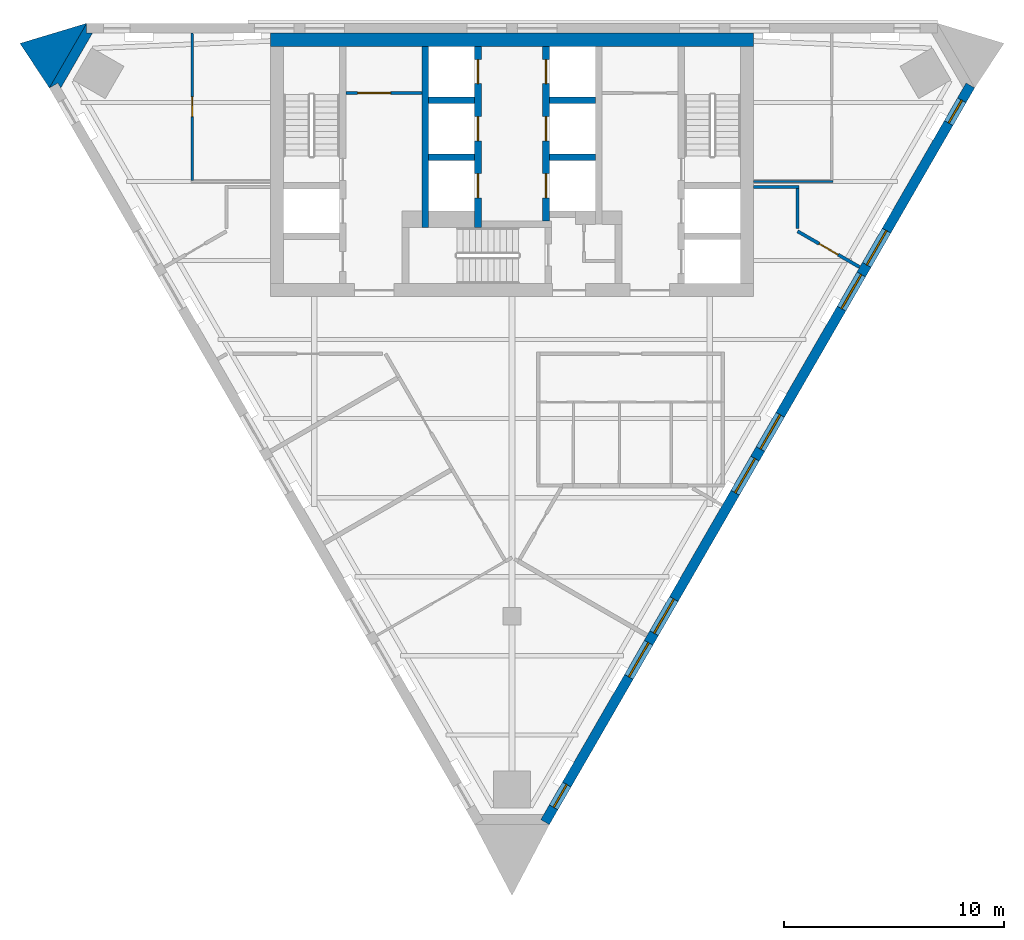
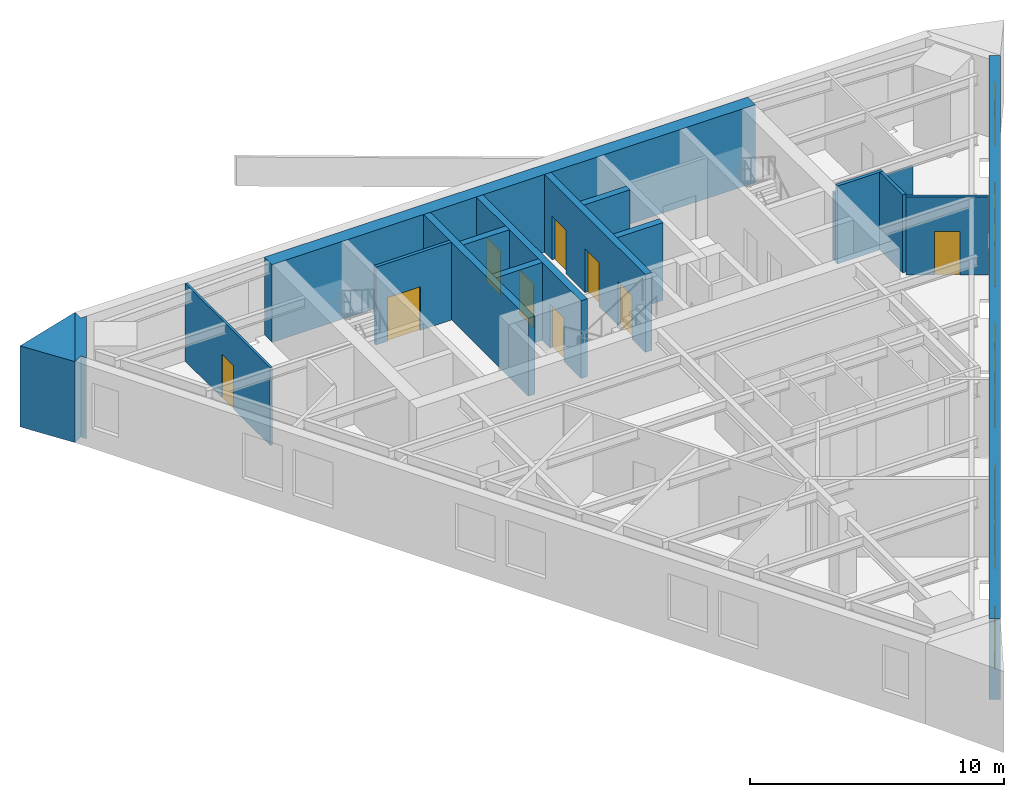
# One storey, part 4 of 6: 17 walls, 9 doors, 8 windows, 17 openings.
"""IFC4 building model written with IfcOpenShell, lengths in metres."""

from ifc_helpers import new_model, si_unit, direction, frame, frame_2d, origin, place, context, subcontext, project, spatial, polyline, rectangle, outline, extrude, material, layer, layer_set, type_object, element, fill, save


model = new_model("IFC4")

# Units and contexts
model_context = context("Model", 3, precision=1e-05, world=origin(), true_north=direction((0.0, 1.0)))
body_context = subcontext(model_context, "Body", "Model", "MODEL_VIEW")
ifc_project = project(units=[si_unit("LENGTHUNIT", "METRE"), si_unit("AREAUNIT", "SQUARE_METRE"), si_unit("VOLUMEUNIT", "CUBIC_METRE"), si_unit("PLANEANGLEUNIT", "RADIAN"), si_unit("MASSUNIT", "GRAM", prefix="KILO")], contexts=[model_context])

# Site, building, storey
site_placement = place(None, origin())
site = spatial("IfcSite", under=ifc_project, at=site_placement, CompositionType="ELEMENT")
building_placement = place(site_placement, origin())
building = spatial("IfcBuilding", under=site, at=building_placement, Name="Aloe Facet Convention Tower", CompositionType="ELEMENT")
storey_placement = place(building_placement, frame((0.0, 0.0, 184.10009765625)))
storey = spatial("IfcBuildingStorey", under=building, at=storey_placement, Name="L46", CompositionType="ELEMENT", Elevation=184.10009765625)

# Wall, opening, door
ifc_material_1 = material(Name="Concrete blockwork partition", Category="masonry")
ifc_layer_1 = layer(ifc_material_1, 0.14990234375)
ifc_layer_set_1 = layer_set([ifc_layer_1], Name="CR-W-PART150")
wall_type_1 = type_object("IfcWallType", Name="CR-W-PART150", PredefinedType="PARTITIONING", material=ifc_layer_set_1)
wall_1_placement = place(storey_placement, frame((72.449951171875, 131.824951171875, 0.0), z_axis=(0.0, 0.0, 1.0), x_axis=(1.0, 0.0, 0.0)))
wall_1 = element("IfcWall", 1, at=wall_1_placement, inside=storey, type_object=wall_type_1, Name="Core partition L46-007", PredefinedType="PARTITIONING", context=body_context, shape_type="SweptSolid", body=[
    extrude(rectangle(XDim=3.449951171875, YDim=0.14990234375, at=frame_2d((1.72509765625, 0.0))), origin(), (0.0, 0.0, 1.0), 3.75),
])
opening_1_placement = place(wall_1_placement, frame((0.52490234375, 0.0, 0.0)))
opening_1 = element("IfcOpeningElement", 2, at=opening_1_placement, cuts=wall_1, Name="Opening L46-CD14", PredefinedType="OPENING", context=body_context, shape_type="SweptSolid", body=[
    extrude(rectangle(XDim=1.5, YDim=2.10009765625, at=frame_2d((0.75, 1.050048828125))), frame((0.0, 0.0849609375, 0.0), z_axis=(0.0, -1.0, 0.0), x_axis=(1.0, 0.0, 0.0)), (0.0, 0.0, 1.0), 0.169921875),
])
ifc_material_2 = material(Name="Steel fire-resisting door set FD60", Category="steel")
door_type_1 = type_object("IfcDoorType", Name="CR-D-REFUGE-1500-FD60-DD", OperationType="DOUBLE_DOOR_DOUBLE_SWING", PredefinedType="DOOR", material=ifc_material_2)
door_1_placement = place(opening_1_placement, origin())
door_1 = element("IfcDoor", 3, at=door_1_placement, inside=storey, type_object=door_type_1, Name="Core door L46-CD14", OperationType="DOUBLE_DOOR_DOUBLE_SWING", OverallHeight=2.10009765625, OverallWidth=1.5, PredefinedType="DOOR", context=body_context, shape_type="SweptSolid", body=[
    extrude(rectangle(XDim=1.5, YDim=2.10009765625, at=frame_2d((0.75, 1.050048828125))), frame((0.0, 0.02490234375, 0.0), z_axis=(0.0, -1.0, 0.0), x_axis=(1.0, 0.0, 0.0)), (0.0, 0.0, 1.0), 0.050048828125),
])
fill(opening_1, door_1)

# Walls
ifc_material_3 = material(Name="Concrete C50/60", Category="concrete")
ifc_layer_2 = layer(ifc_material_3, 0.300048828125)
ifc_layer_set_2 = layer_set([ifc_layer_2], Name="CR-W-RC300-C5060")
wall_type_2 = type_object("IfcWallType", Name="CR-W-RC300-C5060", PredefinedType="SOLIDWALL", material=ifc_layer_set_2)
wall_2_placement = place(storey_placement, frame((76.050048828125, 133.949951171875, 0.0), z_axis=(0.0, 0.0, 1.0), x_axis=(0.0, -1.0, 0.0)))
element("IfcWall", 4, at=wall_2_placement, inside=storey, type_object=wall_type_2, Name="Core wall L46-010", PredefinedType="SOLIDWALL", context=body_context, shape_type="SweptSolid", body=[
    extrude(rectangle(XDim=8.25, YDim=0.300048828125, at=frame_2d((4.125, 0.0))), origin(), (0.0, 0.0, 1.0), 3.75),
])
for number, where, z_axis, x_axis, name in (
    (5, (76.199951171875, 131.5, 0.0), (0.0, 0.0, 1.0), (1.0, 0.0, 0.0), "Core wall L46-011"),
    (6, (76.199951171875, 128.89990234375, 0.0), (0.0, 0.0, 1.0), (1.0, 0.0, 0.0), "Core wall L46-012"),
):
    element("IfcWall", number, at=place(storey_placement, frame(where, z_axis=z_axis, x_axis=x_axis)), inside=storey, type_object=wall_type_2, Name=name, PredefinedType="SOLIDWALL", context=body_context, shape_type="SweptSolid", body=[
        extrude(rectangle(XDim=2.10009765625, YDim=0.300048828125, at=frame_2d((1.050048828125, 0.0))), origin(), (0.0, 0.0, 1.0), 3.75),
    ])

# Wall, openings, doors
wall_3_placement = place(storey_placement, frame((78.449951171875, 133.949951171875, 0.0), z_axis=(0.0, 0.0, 1.0), x_axis=(0.0, -1.0, 0.0)))
wall_3 = element("IfcWall", 7, at=wall_3_placement, inside=storey, type_object=wall_type_2, Name="Core wall L46-014", PredefinedType="SOLIDWALL", context=body_context, shape_type="SweptSolid", body=[
    extrude(rectangle(XDim=8.25, YDim=0.300048828125, at=frame_2d((4.125, 0.0))), origin(), (0.0, 0.0, 1.0), 3.75),
])
opening_2_placement = place(wall_3_placement, frame((0.60009765625, 0.0, 0.0)))
opening_2 = element("IfcOpeningElement", 8, at=opening_2_placement, cuts=wall_3, Name="Opening LD-B1-L46", PredefinedType="OPENING", context=body_context, shape_type="SweptSolid", body=[
    extrude(rectangle(XDim=1.10009765625, YDim=2.10009765625, at=frame_2d((0.550048828125, 1.050048828125))), frame((0.0, 0.16015625, 0.0), z_axis=(0.0, -1.0, 0.0), x_axis=(1.0, 0.0, 0.0)), (0.0, 0.0, 1.0), 0.320068359375),
])
opening_3_placement = place(wall_3_placement, frame((3.199951171875, 0.0, 0.0)))
opening_3 = element("IfcOpeningElement", 9, at=opening_3_placement, cuts=wall_3, Name="Opening LD-B2-L46", PredefinedType="OPENING", context=body_context, shape_type="SweptSolid", body=[
    extrude(rectangle(XDim=1.10009765625, YDim=2.10009765625, at=frame_2d((0.550048828125, 1.050048828125))), frame((0.0, 0.16015625, 0.0), z_axis=(0.0, -1.0, 0.0), x_axis=(1.0, 0.0, 0.0)), (0.0, 0.0, 1.0), 0.320068359375),
])
opening_4_placement = place(wall_3_placement, frame((5.800048828125, 0.0, 0.0)))
opening_4 = element("IfcOpeningElement", 10, at=opening_4_placement, cuts=wall_3, Name="Opening LD-B3-L46", PredefinedType="OPENING", context=body_context, shape_type="SweptSolid", body=[
    extrude(rectangle(XDim=1.10009765625, YDim=2.10009765625, at=frame_2d((0.550048828125, 1.050048828125))), frame((0.0, 0.16015625, 0.0), z_axis=(0.0, -1.0, 0.0), x_axis=(1.0, 0.0, 0.0)), (0.0, 0.0, 1.0), 0.320068359375),
])
ifc_material_4 = material(Name="Stainless steel sliding landing door", Category="steel")
door_type_2 = type_object("IfcDoorType", Name="CR-LD-1100-FD60-RIGHT", OperationType="SLIDING_TO_RIGHT", PredefinedType="DOOR", material=ifc_material_4)
door_2_placement = place(opening_2_placement, origin())
door_2 = element("IfcDoor", 11, at=door_2_placement, inside=storey, type_object=door_type_2, Name="Landing door B1 L46", OperationType="SLIDING_TO_RIGHT", OverallHeight=2.10009765625, OverallWidth=1.10009765625, PredefinedType="DOOR", context=body_context, shape_type="SweptSolid", body=[
    extrude(rectangle(XDim=1.10009765625, YDim=2.10009765625, at=frame_2d((0.550048828125, 1.050048828125))), frame((0.0, 0.02490234375, 0.0), z_axis=(0.0, -1.0, 0.0), x_axis=(1.0, 0.0, 0.0)), (0.0, 0.0, 1.0), 0.050048828125),
])
fill(opening_2, door_2)
door_3_placement = place(opening_3_placement, origin())
door_3 = element("IfcDoor", 12, at=door_3_placement, inside=storey, type_object=door_type_2, Name="Landing door B2 L46", OperationType="SLIDING_TO_RIGHT", OverallHeight=2.10009765625, OverallWidth=1.10009765625, PredefinedType="DOOR", context=body_context, shape_type="SweptSolid", body=[
    extrude(rectangle(XDim=1.10009765625, YDim=2.10009765625, at=frame_2d((0.550048828125, 1.050048828125))), frame((0.0, 0.02490234375, 0.0), z_axis=(0.0, -1.0, 0.0), x_axis=(1.0, 0.0, 0.0)), (0.0, 0.0, 1.0), 0.050048828125),
])
fill(opening_3, door_3)
door_4_placement = place(opening_4_placement, origin())
door_4 = element("IfcDoor", 13, at=door_4_placement, inside=storey, type_object=door_type_2, Name="Landing door B3 L46", OperationType="SLIDING_TO_RIGHT", OverallHeight=2.10009765625, OverallWidth=1.10009765625, PredefinedType="DOOR", context=body_context, shape_type="SweptSolid", body=[
    extrude(rectangle(XDim=1.10009765625, YDim=2.10009765625, at=frame_2d((0.550048828125, 1.050048828125))), frame((0.0, 0.02490234375, 0.0), z_axis=(0.0, -1.0, 0.0), x_axis=(1.0, 0.0, 0.0)), (0.0, 0.0, 1.0), 0.050048828125),
])
fill(opening_4, door_4)

wall_4_placement = place(storey_placement, frame((81.550048828125, 133.949951171875, 0.0), z_axis=(0.0, 0.0, 1.0), x_axis=(0.0, -1.0, 0.0)))
wall_4 = element("IfcWall", 14, at=wall_4_placement, inside=storey, type_object=wall_type_2, Name="Core wall L46-016", PredefinedType="SOLIDWALL", context=body_context, shape_type="SweptSolid", body=[
    extrude(rectangle(XDim=7.949951171875, YDim=0.300048828125, at=frame_2d((3.97509765625, 0.0))), origin(), (0.0, 0.0, 1.0), 3.75),
])
opening_5_placement = place(wall_4_placement, frame((0.60009765625, 0.0, 0.0)))
opening_5 = element("IfcOpeningElement", 15, at=opening_5_placement, cuts=wall_4, Name="Opening LD-B4-L46", PredefinedType="OPENING", context=body_context, shape_type="SweptSolid", body=[
    extrude(rectangle(XDim=1.10009765625, YDim=2.10009765625, at=frame_2d((0.550048828125, 1.050048828125))), frame((0.0, 0.16015625, 0.0), z_axis=(0.0, -1.0, 0.0), x_axis=(1.0, 0.0, 0.0)), (0.0, 0.0, 1.0), 0.320068359375),
])
opening_6_placement = place(wall_4_placement, frame((3.199951171875, 0.0, 0.0)))
opening_6 = element("IfcOpeningElement", 16, at=opening_6_placement, cuts=wall_4, Name="Opening LD-B5-L46", PredefinedType="OPENING", context=body_context, shape_type="SweptSolid", body=[
    extrude(rectangle(XDim=1.10009765625, YDim=2.10009765625, at=frame_2d((0.550048828125, 1.050048828125))), frame((0.0, 0.16015625, 0.0), z_axis=(0.0, -1.0, 0.0), x_axis=(1.0, 0.0, 0.0)), (0.0, 0.0, 1.0), 0.320068359375),
])
opening_7_placement = place(wall_4_placement, frame((5.800048828125, 0.0, 0.0)))
opening_7 = element("IfcOpeningElement", 17, at=opening_7_placement, cuts=wall_4, Name="Opening LD-B6-L46", PredefinedType="OPENING", context=body_context, shape_type="SweptSolid", body=[
    extrude(rectangle(XDim=1.10009765625, YDim=2.10009765625, at=frame_2d((0.550048828125, 1.050048828125))), frame((0.0, 0.16015625, 0.0), z_axis=(0.0, -1.0, 0.0), x_axis=(1.0, 0.0, 0.0)), (0.0, 0.0, 1.0), 0.320068359375),
])
ifc_material_5 = material(Name="Stainless steel sliding landing door", Category="steel")
door_type_3 = type_object("IfcDoorType", Name="CR-LD-1100-FD60-_LEFT", OperationType="SLIDING_TO_LEFT", PredefinedType="DOOR", material=ifc_material_5)
door_5_placement = place(opening_5_placement, origin())
door_5 = element("IfcDoor", 18, at=door_5_placement, inside=storey, type_object=door_type_3, Name="Landing door B4 L46", OperationType="SLIDING_TO_LEFT", OverallHeight=2.10009765625, OverallWidth=1.10009765625, PredefinedType="DOOR", context=body_context, shape_type="SweptSolid", body=[
    extrude(rectangle(XDim=1.10009765625, YDim=2.10009765625, at=frame_2d((0.550048828125, 1.050048828125))), frame((0.0, 0.02490234375, 0.0), z_axis=(0.0, -1.0, 0.0), x_axis=(1.0, 0.0, 0.0)), (0.0, 0.0, 1.0), 0.050048828125),
])
fill(opening_5, door_5)
door_6_placement = place(opening_6_placement, origin())
door_6 = element("IfcDoor", 19, at=door_6_placement, inside=storey, type_object=door_type_3, Name="Landing door B5 L46", OperationType="SLIDING_TO_LEFT", OverallHeight=2.10009765625, OverallWidth=1.10009765625, PredefinedType="DOOR", context=body_context, shape_type="SweptSolid", body=[
    extrude(rectangle(XDim=1.10009765625, YDim=2.10009765625, at=frame_2d((0.550048828125, 1.050048828125))), frame((0.0, 0.02490234375, 0.0), z_axis=(0.0, -1.0, 0.0), x_axis=(1.0, 0.0, 0.0)), (0.0, 0.0, 1.0), 0.050048828125),
])
fill(opening_6, door_6)
door_7_placement = place(opening_7_placement, origin())
door_7 = element("IfcDoor", 20, at=door_7_placement, inside=storey, type_object=door_type_3, Name="Landing door B6 L46", OperationType="SLIDING_TO_LEFT", OverallHeight=2.10009765625, OverallWidth=1.10009765625, PredefinedType="DOOR", context=body_context, shape_type="SweptSolid", body=[
    extrude(rectangle(XDim=1.10009765625, YDim=2.10009765625, at=frame_2d((0.550048828125, 1.050048828125))), frame((0.0, 0.02490234375, 0.0), z_axis=(0.0, -1.0, 0.0), x_axis=(1.0, 0.0, 0.0)), (0.0, 0.0, 1.0), 0.050048828125),
])
fill(opening_7, door_7)

# Walls
for number, where, z_axis, x_axis, name in (
    (21, (81.699951171875, 131.5, 0.0), (0.0, 0.0, 1.0), (1.0, 0.0, 0.0), "Core wall L46-018"),
    (22, (81.699951171875, 128.89990234375, 0.0), (0.0, 0.0, 1.0), (1.0, 0.0, 0.0), "Core wall L46-019"),
):
    element("IfcWall", number, at=place(storey_placement, frame(where, z_axis=z_axis, x_axis=x_axis)), inside=storey, type_object=wall_type_2, Name=name, PredefinedType="SOLIDWALL", context=body_context, shape_type="SweptSolid", body=[
        extrude(rectangle(XDim=2.10009765625, YDim=0.300048828125, at=frame_2d((1.050048828125, 0.0))), origin(), (0.0, 0.0, 1.0), 3.75),
    ])
ifc_material_6 = material(Name="Concrete C50/60", Category="concrete")
ifc_layer_3 = layer(ifc_material_6, 0.60009765625)
ifc_layer_set_3 = layer_set([ifc_layer_3], Name="CR-W-RC600-C5060")
wall_type_3 = type_object("IfcWallType", Name="CR-W-RC600-C5060", PredefinedType="SOLIDWALL", material=ifc_layer_set_3)
wall_5_placement = place(storey_placement, frame((69.0, 134.25, 0.0), z_axis=(0.0, 0.0, 1.0), x_axis=(1.0, 0.0, 0.0)))
element("IfcWall", 23, at=wall_5_placement, inside=storey, type_object=wall_type_3, Name="Core wall L46-001", PredefinedType="SOLIDWALL", context=body_context, shape_type="SweptSolid", body=[
    extrude(rectangle(XDim=22.0, YDim=0.60009765625, at=frame_2d((11.0, 0.0))), origin(), (0.0, 0.0, 1.0), 3.75),
])
ifc_material_7 = material(Name="Precast concrete C40/50", Category="concrete")
ifc_layer_4 = layer(ifc_material_7, 0.449951171875)
ifc_layer_set_4 = layer_set([ifc_layer_4], Name="EV-WALL-PIER")
wall_type_4 = type_object("IfcWallType", Name="EV-WALL-PIER", PredefinedType="SOLIDWALL", material=ifc_layer_set_4)
wall_6_placement = place(storey_placement, frame((0.0, 0.0, -0.150146484375)))
element("IfcWall", 24, at=wall_6_placement, inside=storey, type_object=wall_type_4, Name="EP-L46-A", PredefinedType="SOLIDWALL", context=body_context, shape_type="SweptSolid", body=[
    extrude(outline(polyline([(60.635498046875, 135.0), (60.635498046875, 134.550048828125), (60.895263671875, 134.550048828125), (59.455078125, 132.055419921875), (59.3251953125, 132.280517578125), (58.935302734375, 132.055419921875), (60.635498046875, 135.0)])), origin(), (0.0, 0.0, 1.0), 3.900146484375),
])
ifc_material_8 = material(Name="Precast concrete C40/50", Category="concrete")
ifc_layer_5 = layer(ifc_material_8, 3.947998046875)
ifc_layer_set_5 = layer_set([ifc_layer_5], Name="EV-WALL-SPINE")
wall_type_5 = type_object("IfcWallType", Name="EV-WALL-SPINE", PredefinedType="SOLIDWALL", material=ifc_layer_set_5)
wall_7_placement = place(storey_placement, frame((0.0, 0.0, -0.150146484375)))
element("IfcWall", 25, at=wall_7_placement, inside=storey, type_object=wall_type_5, Name="SP-NW-L46", PredefinedType="SOLIDWALL", context=body_context, shape_type="SweptSolid", body=[
    extrude(outline(polyline([(60.635498046875, 135.0), (57.59814453125, 134.0849609375), (58.935302734375, 132.055419921875), (60.635498046875, 135.0)])), origin(), (0.0, 0.0, 1.0), 3.900146484375),
])

# Wall, openings, windows
ifc_material_9 = material(Name="Precast concrete C40/50", Category="concrete")
ifc_layer_6 = layer(ifc_material_9, 0.449951171875)
ifc_layer_set_6 = layer_set([ifc_layer_6], Name="EV-WALL-STONE")
wall_type_6 = type_object("IfcWallType", Name="EV-WALL-STONE", PredefinedType="SOLIDWALL", material=ifc_layer_set_6)
wall_8_placement = place(storey_placement, frame((81.505126953125, 98.62744140625, -0.150146484375), z_axis=(0.0, 0.0, 1.0), x_axis=(0.500002199942, 0.866024133644, 0.0)))
wall_8 = element("IfcWall", 26, at=wall_8_placement, inside=storey, type_object=wall_type_6, Name="EW-L46-E01", PredefinedType="SOLIDWALL", context=body_context, shape_type="SweptSolid", body=[
    extrude(outline(polyline([(38.729248046875, 0.0), (38.729248046875, 3.900146484375), (0.0, 3.900146484375), (0.0, 0.0), (38.729248046875, 0.0)])), frame((0.0, 0.22509765625, 0.0), z_axis=(0.0, -1.0, 0.0), x_axis=(1.0, 0.0, 0.0)), (0.0, 0.0, 1.0), 0.449951171875),
])
opening_8_placement = place(wall_8_placement, frame((0.776123046875, 0.0, 0.949951171875)))
opening_8 = element("IfcOpeningElement", 27, at=opening_8_placement, cuts=wall_8, Name="Opening W-L46-E01", PredefinedType="OPENING", context=body_context, shape_type="SweptSolid", body=[
    extrude(rectangle(XDim=1.199951171875, YDim=2.199951171875, at=frame_2d((0.60009765625, 1.10009765625))), frame((0.0, 0.23486328125, 0.0), z_axis=(0.0, -1.0, 0.0), x_axis=(1.0, 0.0, 0.0)), (0.0, 0.0, 1.0), 0.469970703125),
])
opening_9_placement = place(wall_8_placement, frame((7.63232421875, 0.0, 0.949951171875)))
opening_9 = element("IfcOpeningElement", 28, at=opening_9_placement, cuts=wall_8, Name="Opening W-L46-E02", PredefinedType="OPENING", context=body_context, shape_type="SweptSolid", body=[
    extrude(rectangle(XDim=1.800048828125, YDim=2.199951171875, at=frame_2d((0.89990234375, 1.10009765625))), frame((0.0, 0.23486328125, 0.0), z_axis=(0.0, -1.0, 0.0), x_axis=(1.0, 0.0, 0.0)), (0.0, 0.0, 1.0), 0.469970703125),
])
opening_10_placement = place(wall_8_placement, frame((9.932373046875, 0.0, 0.949951171875)))
opening_10 = element("IfcOpeningElement", 29, at=opening_10_placement, cuts=wall_8, Name="Opening W-L46-E03", PredefinedType="OPENING", context=body_context, shape_type="SweptSolid", body=[
    extrude(rectangle(XDim=1.800048828125, YDim=2.199951171875, at=frame_2d((0.89990234375, 1.10009765625))), frame((0.0, 0.23486328125, 0.0), z_axis=(0.0, -1.0, 0.0), x_axis=(1.0, 0.0, 0.0)), (0.0, 0.0, 1.0), 0.469970703125),
])
opening_11_placement = place(wall_8_placement, frame((17.314697265625, 0.0, 0.949951171875)))
opening_11 = element("IfcOpeningElement", 30, at=opening_11_placement, cuts=wall_8, Name="Opening W-L46-E04", PredefinedType="OPENING", context=body_context, shape_type="SweptSolid", body=[
    extrude(rectangle(XDim=1.800048828125, YDim=2.199951171875, at=frame_2d((0.89990234375, 1.10009765625))), frame((0.0, 0.23486328125, 0.0), z_axis=(0.0, -1.0, 0.0), x_axis=(1.0, 0.0, 0.0)), (0.0, 0.0, 1.0), 0.469970703125),
])
opening_12_placement = place(wall_8_placement, frame((19.614501953125, 0.0, 0.949951171875)))
opening_12 = element("IfcOpeningElement", 31, at=opening_12_placement, cuts=wall_8, Name="Opening W-L46-E05", PredefinedType="OPENING", context=body_context, shape_type="SweptSolid", body=[
    extrude(rectangle(XDim=1.800048828125, YDim=2.199951171875, at=frame_2d((0.89990234375, 1.10009765625))), frame((0.0, 0.23486328125, 0.0), z_axis=(0.0, -1.0, 0.0), x_axis=(1.0, 0.0, 0.0)), (0.0, 0.0, 1.0), 0.469970703125),
])
opening_13_placement = place(wall_8_placement, frame((26.996826171875, 0.0, 0.949951171875)))
opening_13 = element("IfcOpeningElement", 32, at=opening_13_placement, cuts=wall_8, Name="Opening W-L46-E06", PredefinedType="OPENING", context=body_context, shape_type="SweptSolid", body=[
    extrude(rectangle(XDim=1.800048828125, YDim=2.199951171875, at=frame_2d((0.89990234375, 1.10009765625))), frame((0.0, 0.23486328125, 0.0), z_axis=(0.0, -1.0, 0.0), x_axis=(1.0, 0.0, 0.0)), (0.0, 0.0, 1.0), 0.469970703125),
])
opening_14_placement = place(wall_8_placement, frame((29.296875, 0.0, 0.949951171875)))
opening_14 = element("IfcOpeningElement", 33, at=opening_14_placement, cuts=wall_8, Name="Opening W-L46-E07", PredefinedType="OPENING", context=body_context, shape_type="SweptSolid", body=[
    extrude(rectangle(XDim=1.800048828125, YDim=2.199951171875, at=frame_2d((0.89990234375, 1.10009765625))), frame((0.0, 0.23486328125, 0.0), z_axis=(0.0, -1.0, 0.0), x_axis=(1.0, 0.0, 0.0)), (0.0, 0.0, 1.0), 0.469970703125),
])
opening_15_placement = place(wall_8_placement, frame((36.753173828125, 0.0, 0.949951171875)))
opening_15 = element("IfcOpeningElement", 34, at=opening_15_placement, cuts=wall_8, Name="Opening W-L46-E08", PredefinedType="OPENING", context=body_context, shape_type="SweptSolid", body=[
    extrude(rectangle(XDim=1.199951171875, YDim=2.199951171875, at=frame_2d((0.60009765625, 1.10009765625))), frame((0.0, 0.23486328125, 0.0), z_axis=(0.0, -1.0, 0.0), x_axis=(1.0, 0.0, 0.0)), (0.0, 0.0, 1.0), 0.469970703125),
])
ifc_material_10 = material(Name="Aluminium frame, clear double glazing", Category="aluminium")
window_type_1 = type_object("IfcWindowType", Name="EV-WIN-O12", PartitioningType="SINGLE_PANEL", PredefinedType="WINDOW", material=ifc_material_10)
window_1_placement = place(opening_8_placement, origin())
window_1 = element("IfcWindow", 35, at=window_1_placement, inside=storey, type_object=window_type_1, Name="W-L46-E01", OverallHeight=2.199951171875, OverallWidth=1.199951171875, PartitioningType="SINGLE_PANEL", PredefinedType="WINDOW", context=body_context, shape_type="SweptSolid", body=[
    extrude(rectangle(XDim=1.199951171875, YDim=2.199951171875, at=frame_2d((0.60009765625, 1.10009765625))), frame((0.0, 0.030029296875, 0.0), z_axis=(0.0, -1.0, 0.0), x_axis=(1.0, 0.0, 0.0)), (0.0, 0.0, 1.0), 0.06005859375),
])
fill(opening_8, window_1)
window_2_placement = place(opening_15_placement, origin())
window_2 = element("IfcWindow", 36, at=window_2_placement, inside=storey, type_object=window_type_1, Name="W-L46-E08", OverallHeight=2.199951171875, OverallWidth=1.199951171875, PartitioningType="SINGLE_PANEL", PredefinedType="WINDOW", context=body_context, shape_type="SweptSolid", body=[
    extrude(rectangle(XDim=1.199951171875, YDim=2.199951171875, at=frame_2d((0.60009765625, 1.10009765625))), frame((0.0, 0.030029296875, 0.0), z_axis=(0.0, -1.0, 0.0), x_axis=(1.0, 0.0, 0.0)), (0.0, 0.0, 1.0), 0.06005859375),
])
fill(opening_15, window_2)
ifc_material_11 = material(Name="Aluminium frame, clear double glazing", Category="aluminium")
window_type_2 = type_object("IfcWindowType", Name="EV-WIN-O18", PartitioningType="SINGLE_PANEL", PredefinedType="WINDOW", material=ifc_material_11)
window_3_placement = place(opening_9_placement, origin())
window_3 = element("IfcWindow", 37, at=window_3_placement, inside=storey, type_object=window_type_2, Name="W-L46-E02", OverallHeight=2.199951171875, OverallWidth=1.800048828125, PartitioningType="SINGLE_PANEL", PredefinedType="WINDOW", context=body_context, shape_type="SweptSolid", body=[
    extrude(rectangle(XDim=1.800048828125, YDim=2.199951171875, at=frame_2d((0.89990234375, 1.10009765625))), frame((0.0, 0.030029296875, 0.0), z_axis=(0.0, -1.0, 0.0), x_axis=(1.0, 0.0, 0.0)), (0.0, 0.0, 1.0), 0.06005859375),
])
fill(opening_9, window_3)
window_4_placement = place(opening_10_placement, origin())
window_4 = element("IfcWindow", 38, at=window_4_placement, inside=storey, type_object=window_type_2, Name="W-L46-E03", OverallHeight=2.199951171875, OverallWidth=1.800048828125, PartitioningType="SINGLE_PANEL", PredefinedType="WINDOW", context=body_context, shape_type="SweptSolid", body=[
    extrude(rectangle(XDim=1.800048828125, YDim=2.199951171875, at=frame_2d((0.89990234375, 1.10009765625))), frame((0.0, 0.030029296875, 0.0), z_axis=(0.0, -1.0, 0.0), x_axis=(1.0, 0.0, 0.0)), (0.0, 0.0, 1.0), 0.06005859375),
])
fill(opening_10, window_4)
window_5_placement = place(opening_11_placement, origin())
window_5 = element("IfcWindow", 39, at=window_5_placement, inside=storey, type_object=window_type_2, Name="W-L46-E04", OverallHeight=2.199951171875, OverallWidth=1.800048828125, PartitioningType="SINGLE_PANEL", PredefinedType="WINDOW", context=body_context, shape_type="SweptSolid", body=[
    extrude(rectangle(XDim=1.800048828125, YDim=2.199951171875, at=frame_2d((0.89990234375, 1.10009765625))), frame((0.0, 0.030029296875, 0.0), z_axis=(0.0, -1.0, 0.0), x_axis=(1.0, 0.0, 0.0)), (0.0, 0.0, 1.0), 0.06005859375),
])
fill(opening_11, window_5)
window_6_placement = place(opening_12_placement, origin())
window_6 = element("IfcWindow", 40, at=window_6_placement, inside=storey, type_object=window_type_2, Name="W-L46-E05", OverallHeight=2.199951171875, OverallWidth=1.800048828125, PartitioningType="SINGLE_PANEL", PredefinedType="WINDOW", context=body_context, shape_type="SweptSolid", body=[
    extrude(rectangle(XDim=1.800048828125, YDim=2.199951171875, at=frame_2d((0.89990234375, 1.10009765625))), frame((0.0, 0.030029296875, 0.0), z_axis=(0.0, -1.0, 0.0), x_axis=(1.0, 0.0, 0.0)), (0.0, 0.0, 1.0), 0.06005859375),
])
fill(opening_12, window_6)
window_7_placement = place(opening_13_placement, origin())
window_7 = element("IfcWindow", 41, at=window_7_placement, inside=storey, type_object=window_type_2, Name="W-L46-E06", OverallHeight=2.199951171875, OverallWidth=1.800048828125, PartitioningType="SINGLE_PANEL", PredefinedType="WINDOW", context=body_context, shape_type="SweptSolid", body=[
    extrude(rectangle(XDim=1.800048828125, YDim=2.199951171875, at=frame_2d((0.89990234375, 1.10009765625))), frame((0.0, 0.030029296875, 0.0), z_axis=(0.0, -1.0, 0.0), x_axis=(1.0, 0.0, 0.0)), (0.0, 0.0, 1.0), 0.06005859375),
])
fill(opening_13, window_7)
window_8_placement = place(opening_14_placement, origin())
window_8 = element("IfcWindow", 42, at=window_8_placement, inside=storey, type_object=window_type_2, Name="W-L46-E07", OverallHeight=2.199951171875, OverallWidth=1.800048828125, PartitioningType="SINGLE_PANEL", PredefinedType="WINDOW", context=body_context, shape_type="SweptSolid", body=[
    extrude(rectangle(XDim=1.800048828125, YDim=2.199951171875, at=frame_2d((0.89990234375, 1.10009765625))), frame((0.0, 0.030029296875, 0.0), z_axis=(0.0, -1.0, 0.0), x_axis=(1.0, 0.0, 0.0)), (0.0, 0.0, 1.0), 0.06005859375),
])
fill(opening_14, window_8)

# Wall, opening, door
ifc_material_12 = material(Name="Gypsum board partition on steel studs", Category="steel")
ifc_layer_7 = layer(ifc_material_12, 0.14990234375)
ifc_layer_set_7 = layer_set([ifc_layer_7], Name="IN-W-CORR")
wall_type_7 = type_object("IfcWallType", Name="IN-W-CORR", PredefinedType="PARTITIONING", material=ifc_layer_set_7)
wall_9_placement = place(storey_placement, frame((93.0009765625, 125.53076171875, 0.0), z_axis=(0.0, 0.0, 1.0), x_axis=(0.866032230194, -0.499988176125, 0.0)))
wall_9 = element("IfcWall", 43, at=wall_9_placement, inside=storey, type_object=wall_type_7, Name="Partition L46-W034", PredefinedType="PARTITIONING", context=body_context, shape_type="SweptSolid", body=[
    extrude(rectangle(XDim=3.2607421875, YDim=0.14990234375, at=frame_2d((1.63037109375, 0.0))), origin(), (0.0, 0.0, 1.0), 3.75),
])
opening_16_placement = place(wall_9_placement, frame((1.13037109375, 0.0, 0.0)))
opening_16 = element("IfcOpeningElement", 44, at=opening_16_placement, cuts=wall_9, Name="Opening L46-013", PredefinedType="OPENING", context=body_context, shape_type="SweptSolid", body=[
    extrude(rectangle(XDim=1.0, YDim=2.10009765625, at=frame_2d((0.5, 1.050048828125))), frame((0.0, 0.0849609375, 0.0), z_axis=(0.0, -1.0, 0.0), x_axis=(1.0, 0.0, 0.0)), (0.0, 0.0, 1.0), 0.169921875),
])
ifc_material_13 = material(Name="Timber door FD30S with vision panel", Category="wood")
door_type_4 = type_object("IfcDoorType", Name="IN-OFF-D-ENTRY", OperationType="SINGLE_SWING_LEFT", PredefinedType="DOOR", material=ifc_material_13)
door_8_placement = place(opening_16_placement, origin())
door_8 = element("IfcDoor", 45, at=door_8_placement, inside=storey, type_object=door_type_4, Name="Door L46-013", OperationType="SINGLE_SWING_LEFT", OverallHeight=2.10009765625, OverallWidth=1.0, PredefinedType="DOOR", context=body_context, shape_type="SweptSolid", body=[
    extrude(rectangle(XDim=1.0, YDim=2.10009765625, at=frame_2d((0.5, 1.050048828125))), frame((0.0, 0.02490234375, 0.0), z_axis=(0.0, -1.0, 0.0), x_axis=(1.0, 0.0, 0.0)), (0.0, 0.0, 1.0), 0.050048828125),
])
fill(opening_16, door_8)

# Walls
wall_10_placement = place(storey_placement, frame((91.0, 127.550048828125, 0.0), z_axis=(0.0, 0.0, 1.0), x_axis=(1.0, 0.0, 0.0)))
element("IfcWall", 46, at=wall_10_placement, inside=storey, type_object=wall_type_7, Name="Partition L46-W037", PredefinedType="PARTITIONING", context=body_context, shape_type="SweptSolid", body=[
    extrude(rectangle(XDim=2.074951171875, YDim=0.14990234375, at=frame_2d((1.03759765625, 0.0))), origin(), (0.0, 0.0, 1.0), 3.75),
])
wall_11_placement = place(storey_placement, frame((93.0009765625, 125.660888671875, 0.0), z_axis=(0.0, 0.0, 1.0), x_axis=(-0.000538285483, 0.999999855124, 0.0)))
element("IfcWall", 47, at=wall_11_placement, inside=storey, type_object=wall_type_7, Name="Partition L46-W038", PredefinedType="PARTITIONING", context=body_context, shape_type="SweptSolid", body=[
    extrude(rectangle(XDim=1.814208984375, YDim=0.14990234375, at=frame_2d((0.9072265625, 0.0))), origin(), (0.0, 0.0, 1.0), 3.75),
])
ifc_material_14 = material(Name="Gypsum board partition on steel studs", Category="steel")
ifc_layer_8 = layer(ifc_material_14, 0.10009765625)
ifc_layer_set_8 = layer_set([ifc_layer_8], Name="IN-W-PART")
wall_type_8 = type_object("IfcWallType", Name="IN-W-PART", PredefinedType="PARTITIONING", material=ifc_layer_set_8)
wall_12_placement = place(storey_placement, frame((91.0, 127.800048828125, 0.0), z_axis=(0.0, 0.0, 1.0), x_axis=(1.0, 0.0, 0.0)))
element("IfcWall", 48, at=wall_12_placement, inside=storey, type_object=wall_type_8, Name="Partition L46-W040", PredefinedType="PARTITIONING", context=body_context, shape_type="SweptSolid", body=[
    extrude(rectangle(XDim=3.6083984375, YDim=0.10009765625, at=frame_2d((1.80419921875, 0.0))), origin(), (0.0, 0.0, 1.0), 3.27978515625),
])

# Wall, opening, door
wall_13_placement = place(storey_placement, frame((65.4365234375, 134.550048828125, 0.0), z_axis=(0.0, 0.0, 1.0), x_axis=(0.000728783103, -0.999999734438, 0.0)))
wall_13 = element("IfcWall", 49, at=wall_13_placement, inside=storey, type_object=wall_type_8, Name="Partition L46-W042", PredefinedType="PARTITIONING", context=body_context, shape_type="SweptSolid", body=[
    extrude(rectangle(XDim=6.699951171875, YDim=0.10009765625, at=frame_2d((3.35009765625, 0.0))), origin(), (0.0, 0.0, 1.0), 3.75),
])
opening_17_placement = place(wall_13_placement, frame((2.89990234375, 0.0, 0.0)))
opening_17 = element("IfcOpeningElement", 50, at=opening_17_placement, cuts=wall_13, Name="Opening L46-007", PredefinedType="OPENING", context=body_context, shape_type="SweptSolid", body=[
    extrude(rectangle(XDim=0.89990234375, YDim=2.10009765625, at=frame_2d((0.449951171875, 1.050048828125))), frame((0.0, 0.06005859375, 0.0), z_axis=(0.0, -1.0, 0.0), x_axis=(1.0, 0.0, 0.0)), (0.0, 0.0, 1.0), 0.1201171875),
])
ifc_material_15 = material(Name="Timber door", Category="wood")
door_type_5 = type_object("IfcDoorType", Name="IN-OFF-D-ROOM", OperationType="SINGLE_SWING_LEFT", PredefinedType="DOOR", material=ifc_material_15)
door_9_placement = place(opening_17_placement, origin())
door_9 = element("IfcDoor", 51, at=door_9_placement, inside=storey, type_object=door_type_5, Name="Door L46-007", OperationType="SINGLE_SWING_LEFT", OverallHeight=2.10009765625, OverallWidth=0.89990234375, PredefinedType="DOOR", context=body_context, shape_type="SweptSolid", body=[
    extrude(rectangle(XDim=0.89990234375, YDim=2.10009765625, at=frame_2d((0.449951171875, 1.050048828125))), frame((0.0, 0.02490234375, 0.0), z_axis=(0.0, -1.0, 0.0), x_axis=(1.0, 0.0, 0.0)), (0.0, 0.0, 1.0), 0.050048828125),
])
fill(opening_17, door_9)

save(model, "model.ifc")
